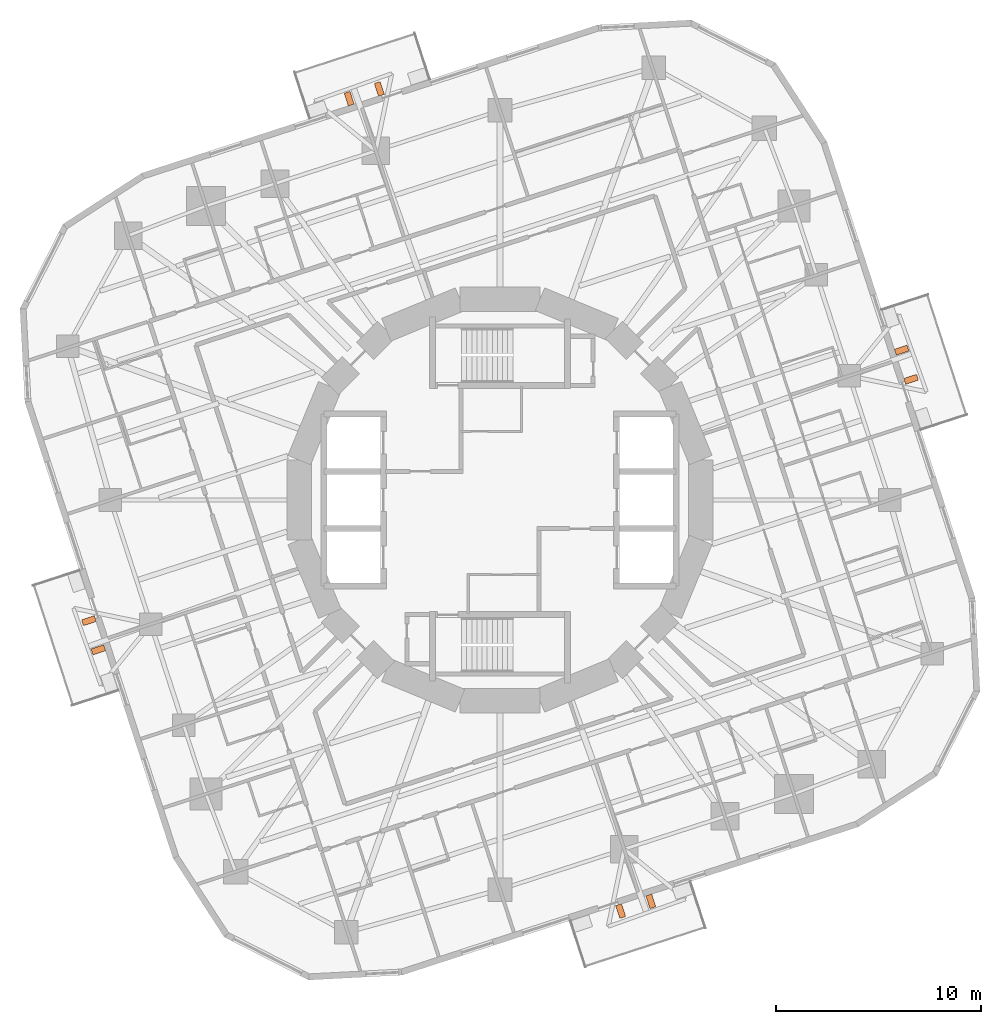
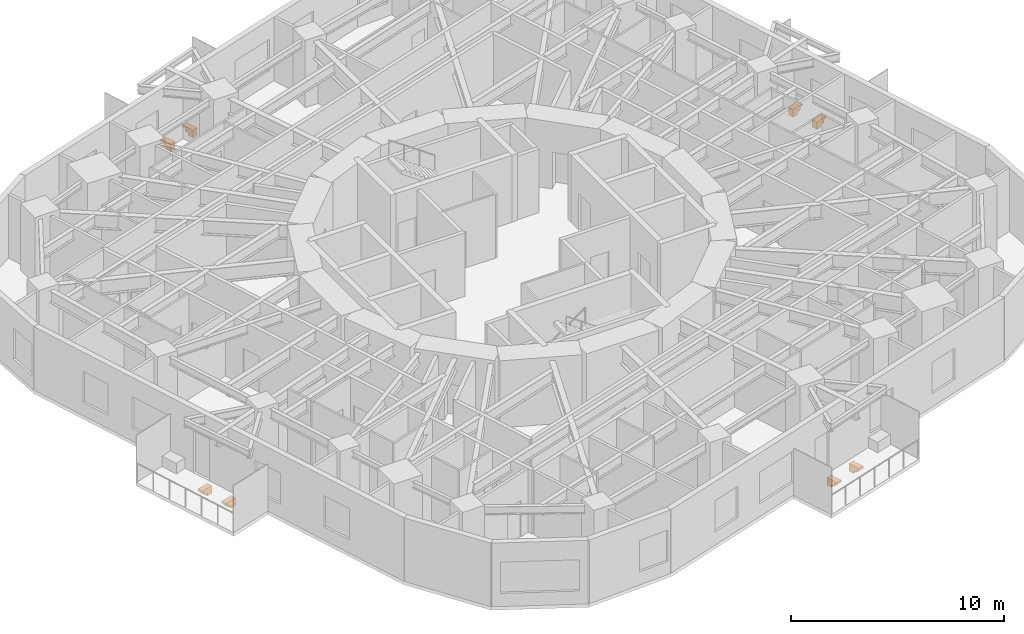
# One storey, part 12 of 12: 8 proxies.
"""IFC4 building model written with IfcOpenShell, lengths in metres."""

from ifc_helpers import new_model, si_unit, direction, frame, origin, place, context, subcontext, project, spatial, polyline, outline, extrude, material, type_object, element, save


model = new_model("IFC4")

# Units and contexts
model_context = context("Model", 3, precision=1e-05, world=origin(), true_north=direction((0.0, 1.0)))
body_context = subcontext(model_context, "Body", "Model", "MODEL_VIEW")
ifc_project = project(units=[si_unit("LENGTHUNIT", "METRE"), si_unit("AREAUNIT", "SQUARE_METRE"), si_unit("VOLUMEUNIT", "CUBIC_METRE"), si_unit("PLANEANGLEUNIT", "RADIAN"), si_unit("MASSUNIT", "GRAM", prefix="KILO")], contexts=[model_context])

# Site, building, storey
site_placement = place(None, origin())
site = spatial("IfcSite", under=ifc_project, at=site_placement, CompositionType="ELEMENT")
building_placement = place(site_placement, origin())
building = spatial("IfcBuilding", under=site, at=building_placement, Name="Nakasero Lantern House", CompositionType="ELEMENT")
storey_placement = place(building_placement, frame((0.0, 0.0, 153.35009765625)))
storey = spatial("IfcBuildingStorey", under=building, at=storey_placement, Name="L37", CompositionType="ELEMENT", Elevation=153.35009765625)

# Proxies
ifc_material = material(Name="Concrete C40/50 precast", Category="concrete")
building_element_proxy_type = type_object("IfcBuildingElementProxyType", Name="Balcony bracket 300", PredefinedType="USERDEFINED", material=ifc_material)
for number, where, z_axis, x_axis, name in (
    (1, (19.777099609375, 5.795166015625, -0.2001953125), (0.0, 0.0, 1.0), (0.951056516, 0.309016994, 0.0), "Balcony bracket L37 0A"),
    (2, (19.313720703125, 7.2216796875, -0.2001953125), (0.0, 0.0, 1.0), (0.951056516, 0.309016994, 0.0), "Balcony bracket L37 0B"),
    (3, (-5.795166015625, 19.777099609375, -0.2001953125), (0.0, 0.0, 1.0), (-0.309016994, 0.951056516, 0.0), "Balcony bracket L37 1A"),
    (4, (-7.269287109375, 19.298095703125, -0.2001953125), (0.0, 0.0, 1.0), (-0.309016994, 0.951056516, 0.0), "Balcony bracket L37 1B"),
    (5, (-19.777099609375, -5.795166015625, -0.2001953125), (0.0, 0.0, 1.0), (-0.951056516, -0.309016994, 0.0), "Balcony bracket L37 2A"),
    (6, (-19.313720703125, -7.2216796875, -0.2001953125), (0.0, 0.0, 1.0), (-0.951056516, -0.309016994, 0.0), "Balcony bracket L37 2B"),
    (7, (5.795166015625, -19.777099609375, -0.2001953125), (0.0, 0.0, 1.0), (0.309016994, -0.951056516, 0.0), "Balcony bracket L37 3A"),
    (8, (7.269287109375, -19.298095703125, -0.2001953125), (0.0, 0.0, 1.0), (0.309016994, -0.951056516, 0.0), "Balcony bracket L37 3B"),
):
    element("IfcBuildingElementProxy", number, at=place(storey_placement, frame(where, z_axis=z_axis, x_axis=x_axis)), inside=storey, type_object=building_element_proxy_type, Name=name, ObjectType="BALCONY BRACKET", PredefinedType="USERDEFINED", context=body_context, shape_type="SweptSolid", body=[
        extrude(outline(polyline([(0.0, 0.0), (0.64990234375, 0.0), (0.64990234375, -0.1201171875), (0.5, -0.1201171875), (0.5, -0.280029296875), (0.300048828125, -0.280029296875), (0.300048828125, -0.43994140625), (0.0, -0.43994140625), (0.0, 0.0)])), frame((0.0, 0.14990234375, 0.0), z_axis=(0.0, -1.0, 0.0), x_axis=(1.0, 0.0, 0.0)), (0.0, 0.0, 1.0), 0.300048828125),
    ])

save(model, "model.ifc")
